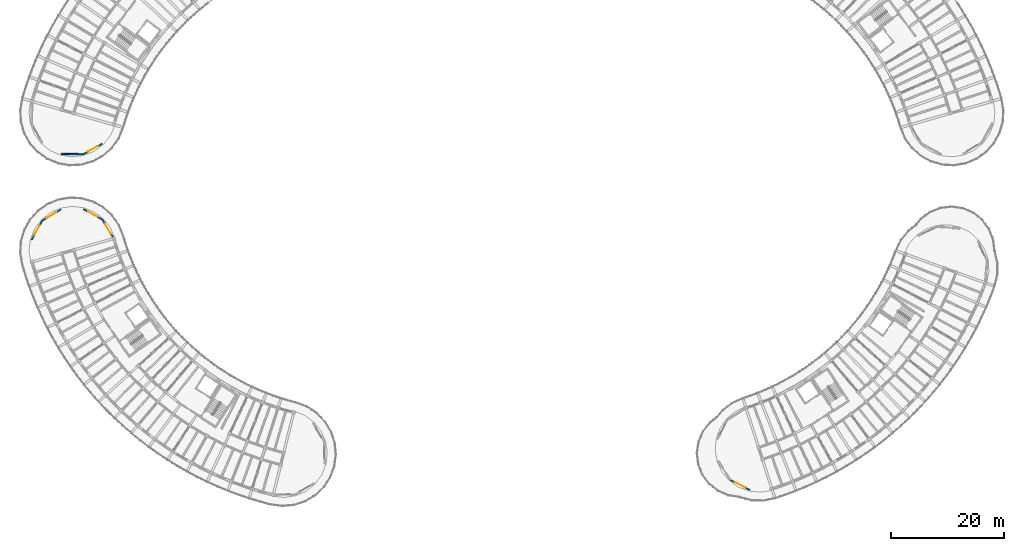
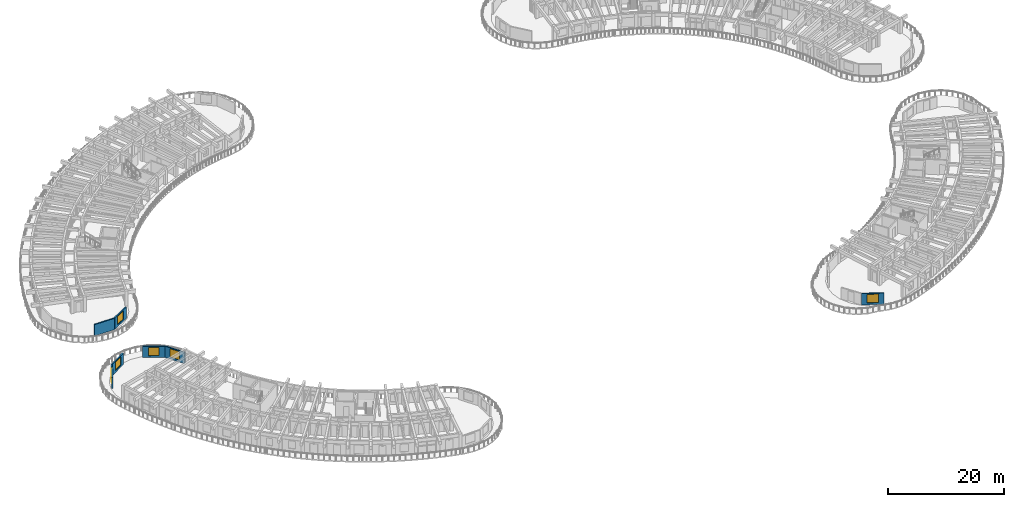
# One storey, part 44 of 81: 7 walls, 6 windows, 6 openings.
"""IFC4 building model written with IfcOpenShell, lengths in metres."""

from ifc_helpers import new_model, si_unit, direction, frame, frame_2d, origin, place, context, subcontext, project, spatial, rectangle, extrude, material, layer, layer_set, type_object, element, fill, save


model = new_model("IFC4")

# Units and contexts
model_context = context("Model", 3, precision=1e-05, world=origin(), true_north=direction((0.0, 1.0)))
body_context = subcontext(model_context, "Body", "Model", "MODEL_VIEW")
ifc_project = project(units=[si_unit("LENGTHUNIT", "METRE"), si_unit("AREAUNIT", "SQUARE_METRE"), si_unit("VOLUMEUNIT", "CUBIC_METRE"), si_unit("PLANEANGLEUNIT", "RADIAN"), si_unit("MASSUNIT", "GRAM", prefix="KILO")], contexts=[model_context])

# Site, building, storey
site_placement = place(None, origin())
site = spatial("IfcSite", under=ifc_project, at=site_placement, CompositionType="ELEMENT")
building_placement = place(site_placement, origin())
building = spatial("IfcBuilding", under=site, at=building_placement, Name="Tanwirah Colonnade Gardens", CompositionType="ELEMENT")
storey_placement = place(building_placement, frame((0.0, 0.0, 18.919921875)))
storey = spatial("IfcBuildingStorey", under=building, at=storey_placement, Name="L05", CompositionType="ELEMENT", Elevation=18.919921875)

# Wall, opening, window
ifc_material_1 = material(Name="Limestone architectural precast concrete C40/50", Category="masonry")
ifc_layer_1 = layer(ifc_material_1, 0.239990234375)
ifc_layer_set_1 = layer_set([ifc_layer_1], Name="Limestone architectural precast concrete C40/50")
wall_type_1 = type_object("IfcWallType", Name="EW-PC240", PredefinedType="SOLIDWALL", material=ifc_layer_set_1)
wall_1_placement = place(storey_placement, frame((135.2509765625, 7.597412109375, 0.0), z_axis=(0.0, 0.0, 1.0), x_axis=(-0.889028498589, 0.457851863267, 0.0)))
wall_1 = element("IfcWall", 1, at=wall_1_placement, inside=storey, type_object=wall_type_1, Name="Block D L05 START Rounded End Wall 1", PredefinedType="SOLIDWALL", context=body_context, shape_type="SweptSolid", body=[
    extrude(rectangle(XDim=3.907958984375, YDim=0.239990234375, at=frame_2d((1.9541015625, 0.0))), origin(), (0.0, 0.0, 1.0), 2.35498046875),
])
opening_1_placement = place(wall_1_placement, frame((0.97900390625, 0.0, 0.39990234375)))
opening_1 = element("IfcOpeningElement", 2, at=opening_1_placement, cuts=wall_1, Name="Opening WIN-END2", PredefinedType="OPENING", context=body_context, shape_type="SweptSolid", body=[
    extrude(rectangle(XDim=1.949951171875, YDim=1.780029296875, at=frame_2d((0.97509765625, 0.89013671875))), frame((0.0, 0.1298828125, 0.0), z_axis=(0.0, -1.0, 0.0), x_axis=(1.0, 0.0, 0.0)), (0.0, 0.0, 1.0), 0.260009765625),
])
ifc_material_2 = material(Name="Thermally broken bronze aluminium and solar low-E double glazing", Category="aluminium")
window_type_1 = type_object("IfcWindowType", Name="WIN-END2", PartitioningType="TRIPLE_PANEL_VERTICAL", PredefinedType="WINDOW", material=ifc_material_2)
window_1_placement = place(opening_1_placement, origin())
window_1 = element("IfcWindow", 3, at=window_1_placement, inside=storey, type_object=window_type_1, Name="Rounded corner window D-L05-START-1", OverallHeight=1.780029296875, OverallWidth=1.949951171875, PartitioningType="SINGLE_PANEL", PredefinedType="WINDOW", context=body_context, shape_type="SweptSolid", body=[
    extrude(rectangle(XDim=1.949951171875, YDim=1.780029296875, at=frame_2d((0.97509765625, 0.89013671875))), frame((0.0, 0.030029296875, 0.0), z_axis=(0.0, -1.0, 0.0), x_axis=(1.0, 0.0, 0.0)), (0.0, 0.0, 1.0), 0.06005859375),
])
fill(opening_1, window_1)

ifc_layer_2 = layer(ifc_material_1, 0.2451171875)
ifc_layer_set_2 = layer_set([ifc_layer_2], Name="Limestone architectural precast concrete C40/50")
wall_type_2 = type_object("IfcWallType", Name="EW-PC245", PredefinedType="SOLIDWALL", material=ifc_layer_set_2)
wall_2_placement = place(storey_placement, frame((20.259033203125, 69.10205078125, 0.0), z_axis=(0.0, 0.0, 1.0), x_axis=(-0.874643043537, -0.484767517881, 0.0)))
wall_2 = element("IfcWall", 4, at=wall_2_placement, inside=storey, type_object=wall_type_2, Name="Block A L05 END Rounded End Wall 1", PredefinedType="SOLIDWALL", context=body_context, shape_type="SweptSolid", body=[
    extrude(rectangle(XDim=3.908203125, YDim=0.2451171875, at=frame_2d((1.9541015625, 0.0))), origin(), (0.0, 0.0, 1.0), 2.35498046875),
])
opening_2_placement = place(wall_2_placement, frame((0.97900390625, 0.0, 0.39990234375)))
opening_2 = element("IfcOpeningElement", 5, at=opening_2_placement, cuts=wall_2, Name="Opening WIN-END2", PredefinedType="OPENING", context=body_context, shape_type="SweptSolid", body=[
    extrude(rectangle(XDim=1.949951171875, YDim=1.780029296875, at=frame_2d((0.97509765625, 0.89013671875))), frame((0.0, 0.132568359375, 0.0), z_axis=(0.0, -1.0, 0.0), x_axis=(1.0, 0.0, 0.0)), (0.0, 0.0, 1.0), 0.26513671875),
])
window_2_placement = place(opening_2_placement, origin())
window_2 = element("IfcWindow", 6, at=window_2_placement, inside=storey, type_object=window_type_1, Name="Rounded corner window A-L05-END-1", OverallHeight=1.780029296875, OverallWidth=1.949951171875, PartitioningType="SINGLE_PANEL", PredefinedType="WINDOW", context=body_context, shape_type="SweptSolid", body=[
    extrude(rectangle(XDim=1.949951171875, YDim=1.780029296875, at=frame_2d((0.97509765625, 0.89013671875))), frame((0.0, 0.030029296875, 0.0), z_axis=(0.0, -1.0, 0.0), x_axis=(1.0, 0.0, 0.0)), (0.0, 0.0, 1.0), 0.06005859375),
])
fill(opening_2, window_2)

# Wall
wall_3_placement = place(storey_placement, frame((16.8408203125, 67.20751953125, 0.0), z_axis=(0.0, 0.0, 1.0), x_axis=(-0.999848096392, 0.017429404492, 0.0)))
element("IfcWall", 7, at=wall_3_placement, inside=storey, type_object=wall_type_2, Name="Block A L05 END Rounded End Wall 2", PredefinedType="SOLIDWALL", context=body_context, shape_type="SweptSolid", body=[
    extrude(rectangle(XDim=3.907958984375, YDim=0.2451171875, at=frame_2d((1.9541015625, 0.0))), origin(), (0.0, 0.0, 1.0), 2.35498046875),
])

# Wall, opening, window
wall_4_placement = place(storey_placement, frame((7.688720703125, 51.993408203125, 0.0), z_axis=(0.0, 0.0, 1.0), x_axis=(0.48481530532, 0.874616555828, 0.0)))
wall_4 = element("IfcWall", 8, at=wall_4_placement, inside=storey, type_object=wall_type_2, Name="Block C L05 START Rounded End Wall 1", PredefinedType="SOLIDWALL", context=body_context, shape_type="SweptSolid", body=[
    extrude(rectangle(XDim=3.908203125, YDim=0.2451171875, at=frame_2d((1.9541015625, 0.0))), origin(), (0.0, 0.0, 1.0), 2.35498046875),
])
opening_3_placement = place(wall_4_placement, frame((1.029052734375, 0.0, 0.39990234375)))
opening_3 = element("IfcOpeningElement", 9, at=opening_3_placement, cuts=wall_4, Name="Opening WIN-END1", PredefinedType="OPENING", context=body_context, shape_type="SweptSolid", body=[
    extrude(rectangle(XDim=1.85009765625, YDim=1.719970703125, at=frame_2d((0.925048828125, 0.85986328125))), frame((0.0, 0.132568359375, 0.0), z_axis=(0.0, -1.0, 0.0), x_axis=(1.0, 0.0, 0.0)), (0.0, 0.0, 1.0), 0.26513671875),
])
window_type_2 = type_object("IfcWindowType", Name="WIN-END1", PartitioningType="TRIPLE_PANEL_VERTICAL", PredefinedType="WINDOW", material=ifc_material_2)
window_3_placement = place(opening_3_placement, origin())
window_3 = element("IfcWindow", 10, at=window_3_placement, inside=storey, type_object=window_type_2, Name="Rounded corner window C-L05-START-1", OverallHeight=1.719970703125, OverallWidth=1.85009765625, PartitioningType="SINGLE_PANEL", PredefinedType="WINDOW", context=body_context, shape_type="SweptSolid", body=[
    extrude(rectangle(XDim=1.85009765625, YDim=1.719970703125, at=frame_2d((0.925048828125, 0.85986328125))), frame((0.0, 0.030029296875, 0.0), z_axis=(0.0, -1.0, 0.0), x_axis=(1.0, 0.0, 0.0)), (0.0, 0.0, 1.0), 0.06005859375),
])
fill(opening_3, window_3)

wall_5_placement = place(storey_placement, frame((9.58349609375, 55.41162109375, 0.0), z_axis=(0.0, 0.0, 1.0), x_axis=(0.857178568309, 0.515019321998, 0.0)))
wall_5 = element("IfcWall", 11, at=wall_5_placement, inside=storey, type_object=wall_type_2, Name="Block C L05 START Rounded End Wall 2", PredefinedType="SOLIDWALL", context=body_context, shape_type="SweptSolid", body=[
    extrude(rectangle(XDim=3.907958984375, YDim=0.2451171875, at=frame_2d((1.9541015625, 0.0))), origin(), (0.0, 0.0, 1.0), 2.35498046875),
])
opening_4_placement = place(wall_5_placement, frame((0.97900390625, 0.0, 0.39990234375)))
opening_4 = element("IfcOpeningElement", 12, at=opening_4_placement, cuts=wall_5, Name="Opening WIN-END2", PredefinedType="OPENING", context=body_context, shape_type="SweptSolid", body=[
    extrude(rectangle(XDim=1.949951171875, YDim=1.780029296875, at=frame_2d((0.97509765625, 0.89013671875))), frame((0.0, 0.132568359375, 0.0), z_axis=(0.0, -1.0, 0.0), x_axis=(1.0, 0.0, 0.0)), (0.0, 0.0, 1.0), 0.26513671875),
])
window_4_placement = place(opening_4_placement, origin())
window_4 = element("IfcWindow", 13, at=window_4_placement, inside=storey, type_object=window_type_1, Name="Rounded corner window C-L05-START-2", OverallHeight=1.780029296875, OverallWidth=1.949951171875, PartitioningType="SINGLE_PANEL", PredefinedType="WINDOW", context=body_context, shape_type="SweptSolid", body=[
    extrude(rectangle(XDim=1.949951171875, YDim=1.780029296875, at=frame_2d((0.97509765625, 0.89013671875))), frame((0.0, 0.030029296875, 0.0), z_axis=(0.0, -1.0, 0.0), x_axis=(1.0, 0.0, 0.0)), (0.0, 0.0, 1.0), 0.06005859375),
])
fill(opening_4, window_4)

wall_6_placement = place(storey_placement, frame((16.8408203125, 57.49267578125, 0.0), z_axis=(0.0, 0.0, 1.0), x_axis=(0.874616555828, -0.48481530532, 0.0)))
wall_6 = element("IfcWall", 14, at=wall_6_placement, inside=storey, type_object=wall_type_2, Name="Block C L05 START Rounded End Wall 4", PredefinedType="SOLIDWALL", context=body_context, shape_type="SweptSolid", body=[
    extrude(rectangle(XDim=3.908203125, YDim=0.2451171875, at=frame_2d((1.9541015625, 0.0))), origin(), (0.0, 0.0, 1.0), 2.35498046875),
])
opening_5_placement = place(wall_6_placement, frame((1.029052734375, 0.0, 0.39990234375)))
opening_5 = element("IfcOpeningElement", 15, at=opening_5_placement, cuts=wall_6, Name="Opening WIN-END1", PredefinedType="OPENING", context=body_context, shape_type="SweptSolid", body=[
    extrude(rectangle(XDim=1.85009765625, YDim=1.719970703125, at=frame_2d((0.925048828125, 0.85986328125))), frame((0.0, 0.132568359375, 0.0), z_axis=(0.0, -1.0, 0.0), x_axis=(1.0, 0.0, 0.0)), (0.0, 0.0, 1.0), 0.26513671875),
])
window_5_placement = place(opening_5_placement, origin())
window_5 = element("IfcWindow", 16, at=window_5_placement, inside=storey, type_object=window_type_2, Name="Rounded corner window C-L05-START-4", OverallHeight=1.719970703125, OverallWidth=1.85009765625, PartitioningType="SINGLE_PANEL", PredefinedType="WINDOW", context=body_context, shape_type="SweptSolid", body=[
    extrude(rectangle(XDim=1.85009765625, YDim=1.719970703125, at=frame_2d((0.925048828125, 0.85986328125))), frame((0.0, 0.030029296875, 0.0), z_axis=(0.0, -1.0, 0.0), x_axis=(1.0, 0.0, 0.0)), (0.0, 0.0, 1.0), 0.06005859375),
])
fill(opening_5, window_5)

wall_7_placement = place(storey_placement, frame((20.259033203125, 55.597900390625, 0.0), z_axis=(0.0, 0.0, 1.0), x_axis=(0.515037642827, -0.857167560324, 0.0)))
wall_7 = element("IfcWall", 17, at=wall_7_placement, inside=storey, type_object=wall_type_2, Name="Block C L05 START Rounded End Wall 5", PredefinedType="SOLIDWALL", context=body_context, shape_type="SweptSolid", body=[
    extrude(rectangle(XDim=3.908447265625, YDim=0.2451171875, at=frame_2d((1.9541015625, 0.0))), origin(), (0.0, 0.0, 1.0), 2.35498046875),
])
opening_6_placement = place(wall_7_placement, frame((0.97900390625, 0.0, 0.39990234375)))
opening_6 = element("IfcOpeningElement", 18, at=opening_6_placement, cuts=wall_7, Name="Opening WIN-END2", PredefinedType="OPENING", context=body_context, shape_type="SweptSolid", body=[
    extrude(rectangle(XDim=1.949951171875, YDim=1.780029296875, at=frame_2d((0.97509765625, 0.89013671875))), frame((0.0, 0.132568359375, 0.0), z_axis=(0.0, -1.0, 0.0), x_axis=(1.0, 0.0, 0.0)), (0.0, 0.0, 1.0), 0.26513671875),
])
window_6_placement = place(opening_6_placement, origin())
window_6 = element("IfcWindow", 19, at=window_6_placement, inside=storey, type_object=window_type_1, Name="Rounded corner window C-L05-START-5", OverallHeight=1.780029296875, OverallWidth=1.949951171875, PartitioningType="SINGLE_PANEL", PredefinedType="WINDOW", context=body_context, shape_type="SweptSolid", body=[
    extrude(rectangle(XDim=1.949951171875, YDim=1.780029296875, at=frame_2d((0.97509765625, 0.89013671875))), frame((0.0, 0.030029296875, 0.0), z_axis=(0.0, -1.0, 0.0), x_axis=(1.0, 0.0, 0.0)), (0.0, 0.0, 1.0), 0.06005859375),
])
fill(opening_6, window_6)

save(model, "model.ifc")
